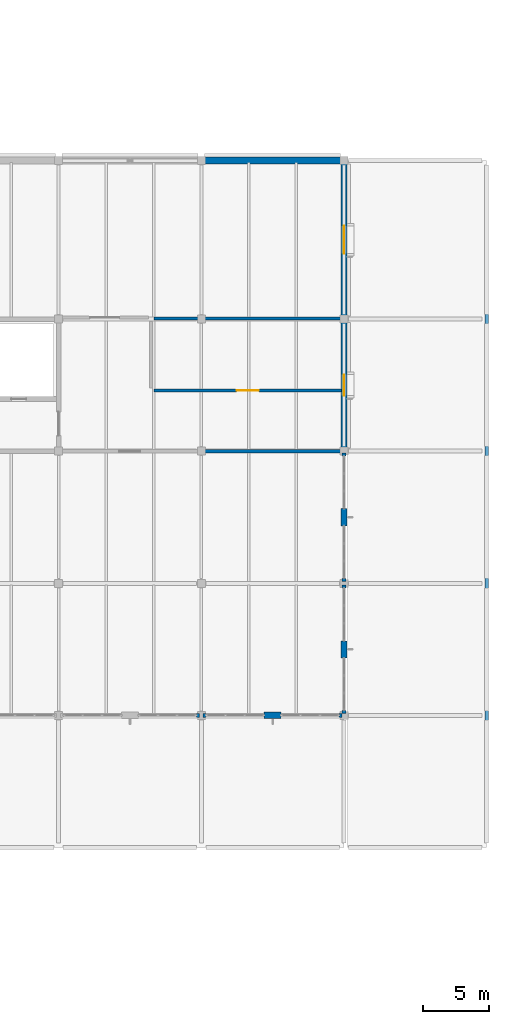
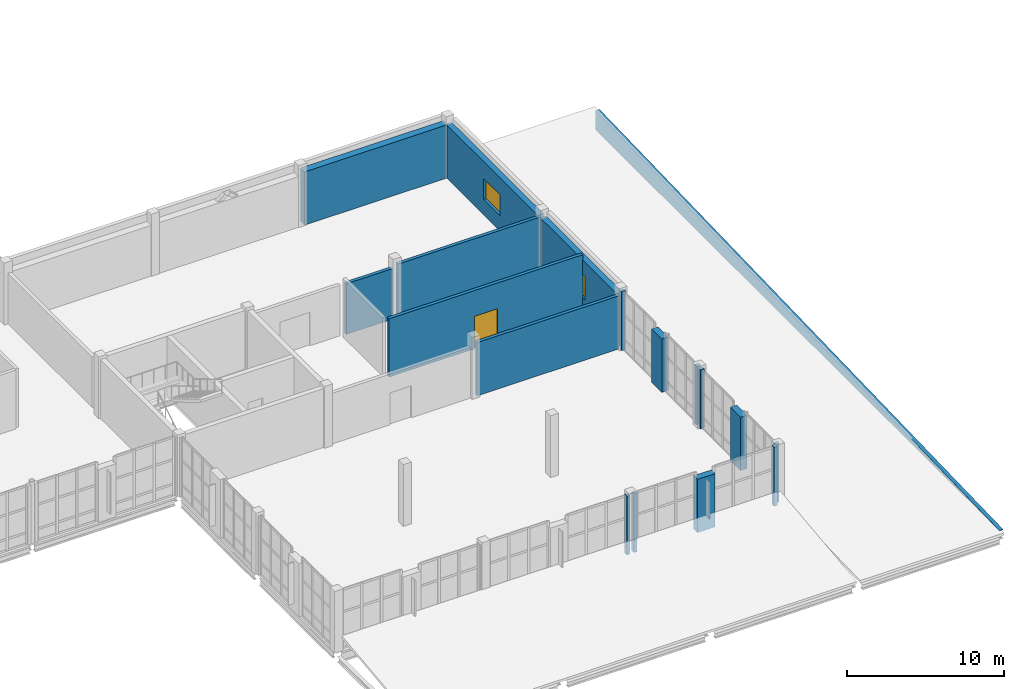
# One storey, part 89 of 100: 18 walls, 2 windows, 1 door, 3 openings.
"""IFC4 building model written with IfcOpenShell, lengths in metres."""

from ifc_helpers import new_model, si_unit, direction, frame, frame_2d, origin, place, context, subcontext, project, spatial, polyline, rectangle, outline, extrude, material, layer, layer_set, type_object, element, fill, save


model = new_model("IFC4")

# Units and contexts
model_context = context("Model", 3, precision=1e-05, world=origin(), true_north=direction((0.0, 1.0)))
body_context = subcontext(model_context, "Body", "Model", "MODEL_VIEW")
ifc_project = project(units=[si_unit("LENGTHUNIT", "METRE"), si_unit("AREAUNIT", "SQUARE_METRE"), si_unit("VOLUMEUNIT", "CUBIC_METRE"), si_unit("PLANEANGLEUNIT", "RADIAN"), si_unit("MASSUNIT", "GRAM", prefix="KILO")], contexts=[model_context])

# Site, building, storey
site_placement = place(None, origin())
site = spatial("IfcSite", under=ifc_project, at=site_placement, CompositionType="ELEMENT")
building_placement = place(site_placement, origin())
building = spatial("IfcBuilding", under=site, at=building_placement, Name="Tasgan Crest Museum", CompositionType="ELEMENT")
storey_placement = place(building_placement, frame((0.0, 0.0, 9.60009765625)))
storey = spatial("IfcBuildingStorey", under=building, at=storey_placement, Name="L02", CompositionType="ELEMENT", Elevation=9.60009765625)

# Walls
ifc_material_1 = material(Name="Precast concrete C40/50", Category="concrete")
ifc_layer_1 = layer(ifc_material_1, 0.320068359375, Name="WL-EXT-CLER-320")
ifc_layer_set_1 = layer_set([ifc_layer_1], Name="Precast concrete C40/50")
wall_type_1 = type_object("IfcWallType", Name="WL-EXT-CLER-320", PredefinedType="STANDARD", material=ifc_layer_set_1)
wall_1_placement = place(storey_placement, frame((129.22998046875, 20.0, 0.0), z_axis=(0.0, 0.0, 1.0), x_axis=(1.0, 0.0, 0.0)))
element("IfcWall", 1, at=wall_1_placement, inside=storey, type_object=wall_type_1, Name="Curtain wall jamb closure L02 JR", PredefinedType="STANDARD", context=body_context, shape_type="SweptSolid", body=[
    extrude(rectangle(XDim=0.22509765625, YDim=0.300048828125, at=frame_2d((0.112548828125, 0.0))), origin(), (0.0, 0.0, 1.0), 4.559814453125),
])
for number, where, z_axis, x_axis, name in (
    (2, (129.7451171875, 20.0, 0.0), (0.0, 0.0, 1.0), (1.0, 0.0, 0.0), "Curtain wall jamb closure L02 JL"),
    (3, (140.030029296875, 20.0, 0.0), (0.0, 0.0, 1.0), (1.0, 0.0, 0.0), "Curtain wall jamb closure L02 JR"),
):
    element("IfcWall", number, at=place(storey_placement, frame(where, z_axis=z_axis, x_axis=x_axis)), inside=storey, type_object=wall_type_1, Name=name, PredefinedType="STANDARD", context=body_context, shape_type="SweptSolid", body=[
        extrude(rectangle(XDim=0.224853515625, YDim=0.300048828125, at=frame_2d((0.1123046875, 0.0))), origin(), (0.0, 0.0, 1.0), 4.559814453125),
    ])
for number, where, z_axis, x_axis, name in (
    (4, (140.39990234375, 20.14501953125, 0.0), (0.0, 0.0, 1.0), (0.0, 1.0, 0.0), "Curtain wall jamb closure L02 JL"),
    (5, (140.39990234375, 29.6298828125, 0.0), (0.0, 0.0, 1.0), (0.0, 1.0, 0.0), "Curtain wall jamb closure L02 JR"),
    (6, (140.39990234375, 30.14501953125, 0.0), (0.0, 0.0, 1.0), (0.0, 1.0, 0.0), "Curtain wall jamb closure L02 JL"),
    (7, (140.39990234375, 39.6298828125, 0.0), (0.0, 0.0, 1.0), (0.0, 1.0, 0.0), "Curtain wall jamb closure L02 JR"),
):
    element("IfcWall", number, at=place(storey_placement, frame(where, z_axis=z_axis, x_axis=x_axis)), inside=storey, type_object=wall_type_1, Name=name, PredefinedType="STANDARD", context=body_context, shape_type="SweptSolid", body=[
        extrude(rectangle(XDim=0.22509765625, YDim=0.300048828125, at=frame_2d((0.112548828125, 0.0))), origin(), (0.0, 0.0, 1.0), 4.559814453125),
    ])
wall_2_placement = place(storey_placement, frame((151.199951171875, 10.35009765625, -0.02001953125), z_axis=(0.0, 0.0, 1.0), x_axis=(0.0, 1.0, 0.0)))
element("IfcWall", 8, at=wall_2_placement, inside=storey, type_object=wall_type_1, Name="Sloped roof gable wall V3-L01E-E", PredefinedType="STANDARD", context=body_context, shape_type="SweptSolid", body=[
    extrude(outline(polyline([(0.0, 0.0), (51.2998046875, 0.0), (51.300048828125, 1.52001953125), (0.0, 0.0400390625), (0.0, 0.0)])), frame((0.0, 0.14013671875, 0.0), z_axis=(0.0, -1.0, 0.0), x_axis=(1.0, 0.0, 0.0)), (0.0, 0.0, 1.0), 0.280029296875),
])
ifc_material_2 = material(Name="Precast concrete C40/50", Category="concrete")
ifc_layer_2 = layer(ifc_material_2, 0.47998046875, Name="WL-EXT-GRAN-480")
ifc_layer_set_2 = layer_set([ifc_layer_2], Name="Precast concrete C40/50")
wall_type_2 = type_object("IfcWallType", Name="WL-EXT-GRAN-480", PredefinedType="STANDARD", material=ifc_layer_set_2)
for number, where, z_axis, x_axis, name in (
    (9, (134.35009765625, 20.0, 0.0), (0.0, 0.0, 1.0), (1.0, 0.0, 0.0), "Postmodern facade stone pier L02"),
    (10, (140.39990234375, 24.35009765625, 0.0), (0.0, 0.0, 1.0), (0.0, 1.0, 0.0), "Postmodern facade stone pier L02"),
    (11, (140.39990234375, 34.35009765625, 0.0), (0.0, 0.0, 1.0), (0.0, 1.0, 0.0), "Postmodern facade stone pier L02"),
):
    element("IfcWall", number, at=place(storey_placement, frame(where, z_axis=z_axis, x_axis=x_axis)), inside=storey, type_object=wall_type_2, Name=name, PredefinedType="STANDARD", context=body_context, shape_type="SweptSolid", body=[
        extrude(rectangle(XDim=1.2998046875, YDim=0.47998046875, at=frame_2d((0.64990234375, 0.0))), origin(), (0.0, 0.0, 1.0), 4.1298828125),
    ])

# Wall, opening, window
ifc_material_3 = material(Name="Precast concrete C40/50", Category="concrete")
ifc_layer_3 = layer(ifc_material_3, 0.419921875, Name="WL-EXT-SAND-420")
ifc_layer_set_3 = layer_set([ifc_layer_3], Name="Precast concrete C40/50")
wall_type_3 = type_object("IfcWallType", Name="WL-EXT-SAND-420", PredefinedType="STANDARD", material=ifc_layer_set_3)
wall_3_placement = place(storey_placement, frame((140.39990234375, 40.14501953125, 0.0), z_axis=(0.0, 0.0, 1.0), x_axis=(0.0, 1.0, 0.0)))
wall_3 = element("IfcWall", 12, at=wall_3_placement, inside=storey, type_object=wall_type_3, Name="Exterior wall L02 (140.4,45.0)", PredefinedType="STANDARD", context=body_context, shape_type="SweptSolid", body=[
    extrude(rectangle(XDim=9.7099609375, YDim=0.419921875, at=frame_2d((4.85498046875, 0.0))), origin(), (0.0, 0.0, 1.0), 4.1298828125),
])
opening_1_placement = place(wall_3_placement, frame((4.054931640625, 0.0, 1.199951171875)))
opening_1 = element("IfcOpeningElement", 13, at=opening_1_placement, cuts=wall_3, Name="Opening W11", PredefinedType="OPENING", context=body_context, shape_type="SweptSolid", body=[
    extrude(rectangle(XDim=1.60009765625, YDim=1.800048828125, at=frame_2d((0.800048828125, 0.89990234375))), frame((0.0, 0.219970703125, 0.0), z_axis=(0.0, -1.0, 0.0), x_axis=(1.0, 0.0, 0.0)), (0.0, 0.0, 1.0), 0.43994140625),
])
ifc_material_4 = material(Name="Thermally Broken Triple-Glazed Aluminium", Category="aluminium")
window_type_1 = type_object("IfcWindowType", Name="WN-LAB-1600X1800", PartitioningType="SINGLE_PANEL", PredefinedType="WINDOW", material=ifc_material_4)
window_1_placement = place(opening_1_placement, origin())
window_1 = element("IfcWindow", 14, at=window_1_placement, inside=storey, type_object=window_type_1, Name="Window W11 L02-037", OverallHeight=1.800048828125, OverallWidth=1.60009765625, PartitioningType="SINGLE_PANEL", PredefinedType="WINDOW", context=body_context, shape_type="SweptSolid", body=[
    extrude(rectangle(XDim=1.60009765625, YDim=1.800048828125, at=frame_2d((0.800048828125, 0.89990234375))), frame((0.0, 0.030029296875, 0.0), z_axis=(0.0, -1.0, 0.0), x_axis=(1.0, 0.0, 0.0)), (0.0, 0.0, 1.0), 0.06005859375),
])
fill(opening_1, window_1)

wall_4_placement = place(storey_placement, frame((140.39990234375, 50.14501953125, 0.0), z_axis=(0.0, 0.0, 1.0), x_axis=(0.0, 1.0, 0.0)))
wall_4 = element("IfcWall", 15, at=wall_4_placement, inside=storey, type_object=wall_type_3, Name="Exterior wall L02 (140.4,56.0)", PredefinedType="STANDARD", context=body_context, shape_type="SweptSolid", body=[
    extrude(rectangle(XDim=11.7099609375, YDim=0.419921875, at=frame_2d((5.85498046875, 0.0))), origin(), (0.0, 0.0, 1.0), 4.1298828125),
])
opening_2_placement = place(wall_4_placement, frame((4.804931640625, 0.0, 1.199951171875)))
opening_2 = element("IfcOpeningElement", 16, at=opening_2_placement, cuts=wall_4, Name="Opening W12", PredefinedType="OPENING", context=body_context, shape_type="SweptSolid", body=[
    extrude(rectangle(XDim=2.10009765625, YDim=1.60009765625, at=frame_2d((1.050048828125, 0.800048828125))), frame((0.0, 0.219970703125, 0.0), z_axis=(0.0, -1.0, 0.0), x_axis=(1.0, 0.0, 0.0)), (0.0, 0.0, 1.0), 0.43994140625),
])
ifc_material_5 = material(Name="Thermally Broken Triple-Glazed Aluminium", Category="aluminium")
window_type_2 = type_object("IfcWindowType", Name="WN-LAB-2100X1600", PartitioningType="SINGLE_PANEL", PredefinedType="WINDOW", material=ifc_material_5)
window_2_placement = place(opening_2_placement, origin())
window_2 = element("IfcWindow", 17, at=window_2_placement, inside=storey, type_object=window_type_2, Name="Window W12 L02-038", OverallHeight=1.60009765625, OverallWidth=2.10009765625, PartitioningType="SINGLE_PANEL", PredefinedType="WINDOW", context=body_context, shape_type="SweptSolid", body=[
    extrude(rectangle(XDim=2.10009765625, YDim=1.60009765625, at=frame_2d((1.050048828125, 0.800048828125))), frame((0.0, 0.030029296875, 0.0), z_axis=(0.0, -1.0, 0.0), x_axis=(1.0, 0.0, 0.0)), (0.0, 0.0, 1.0), 0.06005859375),
])
fill(opening_2, window_2)

# Walls
ifc_material_6 = material(Name="Concrete C40/50", Category="concrete")
ifc_layer_4 = layer(ifc_material_6, 0.52001953125, Name="WL-EXT-VAULT-520")
ifc_layer_set_4 = layer_set([ifc_layer_4], Name="Concrete C40/50")
wall_type_4 = type_object("IfcWallType", Name="WL-EXT-VAULT-520", PredefinedType="SOLIDWALL", material=ifc_layer_set_4)
wall_5_placement = place(storey_placement, frame((140.2548828125, 62.0, 0.0), z_axis=(0.0, 0.0, 1.0), x_axis=(-1.0, 0.0, 0.0)))
element("IfcWall", 18, at=wall_5_placement, inside=storey, type_object=wall_type_4, Name="Exterior wall L02 (135.0,62.0)", PredefinedType="SOLIDWALL", context=body_context, shape_type="SweptSolid", body=[
    extrude(rectangle(XDim=10.509765625, YDim=0.52001953125, at=frame_2d((5.2548828125, 0.0))), origin(), (0.0, 0.0, 1.0), 4.1298828125),
])
ifc_material_7 = material(Name="Concrete C40/50", Category="concrete")
ifc_layer_5 = layer(ifc_material_7, 0.239990234375, Name="WL-FIRE-240")
ifc_layer_set_5 = layer_set([ifc_layer_5], Name="Concrete C40/50")
wall_type_5 = type_object("IfcWallType", Name="WL-FIRE-240", PredefinedType="SOLIDWALL", material=ifc_layer_set_5)
wall_6_placement = place(storey_placement, frame((129.800048828125, 40.0, 0.0), z_axis=(0.0, 0.0, 1.0), x_axis=(1.0, 0.0, 0.0)))
element("IfcWall", 19, at=wall_6_placement, inside=storey, type_object=wall_type_5, Name="Partition Osteology Conservation Laboratory / Second Floor Vault Corridor L02", PredefinedType="SOLIDWALL", context=body_context, shape_type="SweptSolid", body=[
    extrude(rectangle(XDim=10.419921875, YDim=0.239990234375, at=frame_2d((5.2099609375, 0.0))), origin(), (0.0, 0.0, 1.0), 4.1298828125),
])

# Wall, opening, door
wall_7_placement = place(storey_placement, frame((126.0, 44.60009765625, 0.0), z_axis=(0.0, 0.0, 1.0), x_axis=(1.0, 0.0, 0.0)))
wall_7 = element("IfcWall", 20, at=wall_7_placement, inside=storey, type_object=wall_type_5, Name="Partition Second Floor Vault Corridor / Taxonomy Specimen Study 202 L02", PredefinedType="SOLIDWALL", context=body_context, shape_type="SweptSolid", body=[
    extrude(rectangle(XDim=14.219970703125, YDim=0.239990234375, at=frame_2d((7.10986328125, 0.0))), origin(), (0.0, 0.0, 1.0), 4.52001953125),
])
opening_3_placement = place(wall_7_placement, frame((6.27001953125, 0.0, 0.0)))
opening_3 = element("IfcOpeningElement", 21, at=opening_3_placement, cuts=wall_7, Name="Opening D056", PredefinedType="OPENING", context=body_context, shape_type="SweptSolid", body=[
    extrude(rectangle(XDim=1.679931640625, YDim=2.52001953125, at=frame_2d((0.83984375, 1.260009765625))), frame((0.0, 0.1298828125, 0.0), z_axis=(0.0, -1.0, 0.0), x_axis=(1.0, 0.0, 0.0)), (0.0, 0.0, 1.0), 0.260009765625),
])
ifc_material_8 = material(Name="Oak and Brushed Bronze Acoustic Door")
door_type = type_object("IfcDoorType", Name="DR-SCH-28", OperationType="NOTDEFINED", PredefinedType="DOOR", material=ifc_material_8)
door_placement = place(opening_3_placement, origin())
door = element("IfcDoor", 22, at=door_placement, inside=storey, type_object=door_type, Name="Taxonomy Specimen Study 202 door D056", OperationType="SINGLE_SWING_LEFT", OverallHeight=2.52001953125, OverallWidth=1.679931640625, PredefinedType="DOOR", context=body_context, shape_type="SweptSolid", body=[
    extrude(rectangle(XDim=1.679931640625, YDim=2.52001953125, at=frame_2d((0.83984375, 1.260009765625))), frame((0.0, 0.02490234375, 0.0), z_axis=(0.0, -1.0, 0.0), x_axis=(1.0, 0.0, 0.0)), (0.0, 0.0, 1.0), 0.050048828125),
])
fill(opening_3, door)

# Walls
wall_8_placement = place(storey_placement, frame((126.0, 50.050048828125, 0.0), z_axis=(0.0, 0.0, 1.0), x_axis=(1.0, 0.0, 0.0)))
element("IfcWall", 23, at=wall_8_placement, inside=storey, type_object=wall_type_5, Name="Partition Taxonomy Specimen Study 202 / Compact Mobile Specimen Archive 201 L02", PredefinedType="SOLIDWALL", context=body_context, shape_type="SweptSolid", body=[
    extrude(rectangle(XDim=3.39990234375, YDim=0.239990234375, at=frame_2d((1.699951171875, 0.0))), origin(), (0.0, 0.0, 1.0), 3.928955078125),
])
wall_9_placement = place(storey_placement, frame((129.800048828125, 50.050048828125, 0.0), z_axis=(0.0, 0.0, 1.0), x_axis=(1.0, 0.0, 0.0)))
element("IfcWall", 24, at=wall_9_placement, inside=storey, type_object=wall_type_5, Name="Partition Taxonomy Specimen Study 202 / Compact Mobile Specimen Archive 201 L02", PredefinedType="SOLIDWALL", context=body_context, shape_type="SweptSolid", body=[
    extrude(rectangle(XDim=10.419921875, YDim=0.239990234375, at=frame_2d((5.2099609375, 0.0))), origin(), (0.0, 0.0, 1.0), 4.1298828125),
])

save(model, "model.ifc")
